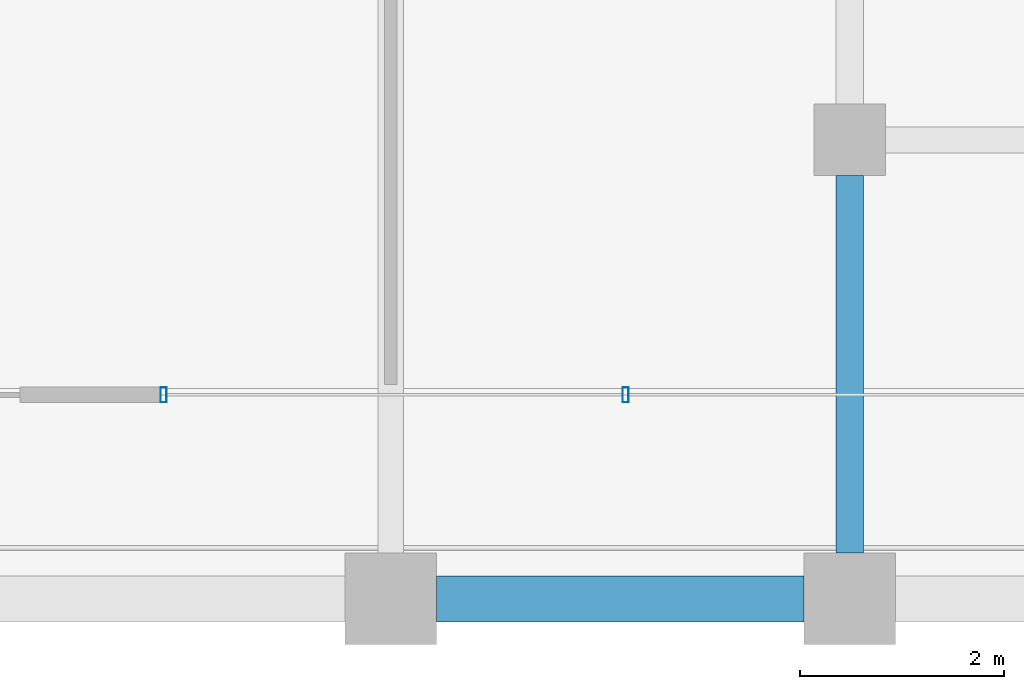
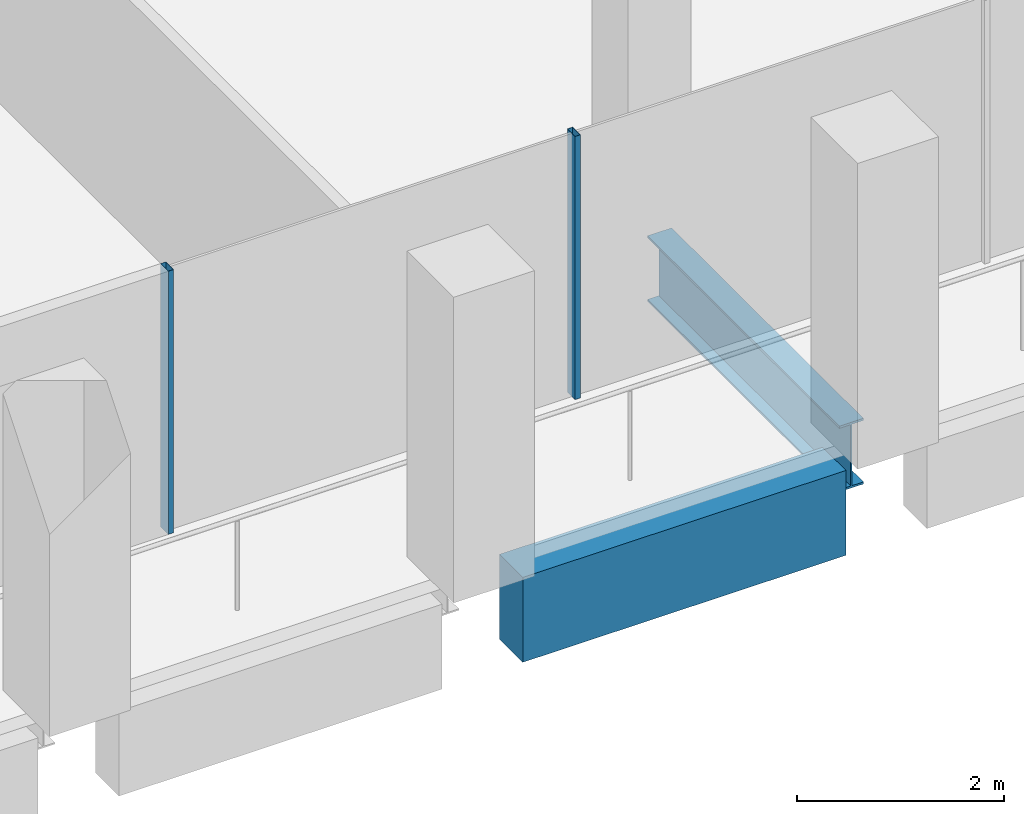
# One storey, part 9 of 40: 2 beams, 2 members, 1 element without a shape of its own.
"""IFC4 building model written with IfcOpenShell, lengths in metres."""

from ifc_helpers import new_model, si_unit, direction, frame, origin, origin_2d, place, context, subcontext, project, spatial, rectangle, hollow_rectangle, i_section, extrude, material, material_profile, profile_set, type_object, element, aggregate, save


model = new_model("IFC4")

# Units and contexts
model_context = context("Model", 3, precision=1e-05, world=origin(), true_north=direction((0.0, 1.0)))
body_context = subcontext(model_context, "Body", "Model", "MODEL_VIEW")
ifc_project = project(units=[si_unit("LENGTHUNIT", "METRE"), si_unit("AREAUNIT", "SQUARE_METRE"), si_unit("VOLUMEUNIT", "CUBIC_METRE"), si_unit("PLANEANGLEUNIT", "RADIAN"), si_unit("MASSUNIT", "GRAM", prefix="KILO")], contexts=[model_context])

# Site, building, storey
site_placement = place(None, origin())
site = spatial("IfcSite", under=ifc_project, at=site_placement, CompositionType="ELEMENT")
building_placement = place(site_placement, origin())
building = spatial("IfcBuilding", under=site, at=building_placement, Name="Altepetl Exchange Towers", CompositionType="ELEMENT")
storey_placement = place(building_placement, frame((0.0, 0.0, 154.60009765625)))
storey = spatial("IfcBuildingStorey", under=building, at=storey_placement, Name="L38", CompositionType="ELEMENT", Elevation=154.60009765625)

# Beam
ifc_material_1 = material(Name="Steel S355", Category="steel")
ifc_material_profile_1 = material_profile(ifc_material_1, i_section(OverallWidth=0.26806640625, OverallDepth=0.77392578125, WebThickness=0.015380859375, FlangeThickness=0.025390625, at=origin_2d()), Name="W30X132")
ifc_profile_set_1 = profile_set([ifc_material_profile_1], Name="Steel S355")
beam_type_1 = type_object("IfcBeamType", Name="Girder W30X132", PredefinedType="BEAM", material=ifc_profile_set_1)
beam_1_placement = place(storey_placement, frame((58.5, 31.14990234375, -0.537109375), z_axis=(0.0, -1.0, 0.0), x_axis=(1.0, 0.0, 0.0)))
element("IfcBeam", 1, at=beam_1_placement, inside=storey, type_object=beam_type_1, Name="gd:A:L38:005", PredefinedType="BEAM", context=body_context, shape_type="SweptSolid", body=[
    extrude(i_section(OverallWidth=0.26806640625, OverallDepth=0.77392578125, WebThickness=0.015380859375, FlangeThickness=0.025390625, at=origin_2d()), origin(), (0.0, 0.0, 1.0), 3.699951171875),
])

# Curtain wall, members
ifc_material_2 = material(Name="Aluminium 6063-T6 glazing", Category="aluminium")
curtain_wall_type = type_object("IfcCurtainWallType", Name="Loggia glazing system", PredefinedType="NOTDEFINED", material=ifc_material_2)
curtain_wall_placement = place(storey_placement, origin())
curtain_wall = element("IfcCurtainWall", 2, at=curtain_wall_placement, inside=storey, type_object=curtain_wall_type, Name="CW1 run", PredefinedType="NOTDEFINED")
ifc_material_3 = material(Name="Aluminium 6063-T6", Category="aluminium")
ifc_material_profile_2 = material_profile(ifc_material_3, hollow_rectangle(XDim=0.06005859375, YDim=0.14990234375, WallThickness=0.0029296875, at=origin_2d()), Name="Mullion 60x150 aluminium")
ifc_profile_set_2 = profile_set([ifc_material_profile_2], Name="Aluminium 6063-T6")
member_type = type_object("IfcMemberType", Name="Mullion 60x150 aluminium", PredefinedType="MULLION", material=ifc_profile_set_2)
member_1_placement = place(storey_placement, frame((51.77294921875, 29.0, 0.0)))
member_1 = element("IfcMember", 3, at=member_1_placement, type_object=member_type, Name="MU1 mullion", PredefinedType="MULLION", context=body_context, shape_type="SweptSolid", body=[
    extrude(hollow_rectangle(XDim=0.06005859375, YDim=0.14990234375, WallThickness=0.0029296875, at=origin_2d()), origin(), (0.0, 0.0, 1.0), 3.099853515625),
])
member_2_placement = place(storey_placement, frame((56.303466796875, 29.0, 0.0)))
member_2 = element("IfcMember", 4, at=member_2_placement, type_object=member_type, Name="MU1 mullion", PredefinedType="MULLION", context=body_context, shape_type="SweptSolid", body=[
    extrude(hollow_rectangle(XDim=0.06005859375, YDim=0.14990234375, WallThickness=0.0029296875, at=origin_2d()), origin(), (0.0, 0.0, 1.0), 3.099853515625),
])
aggregate(curtain_wall, [member_1, member_2])

# Beam
ifc_material_4 = material(Name="Concrete C50/60 precast with cantera blanca facing", Category="concrete")
ifc_material_profile_3 = material_profile(ifc_material_4, rectangle(XDim=0.449951171875, YDim=1.0, at=origin_2d()), Name="450 x 1000")
ifc_profile_set_3 = profile_set([ifc_material_profile_3], Name="Concrete C50/60 precast with cantera blanca facing")
beam_type_2 = type_object("IfcBeamType", Name="Spandrel beam 450x1000 cantera blanca", PredefinedType="SPANDREL", material=ifc_profile_set_3)
beam_2_placement = place(storey_placement, frame((54.449951171875, 27.0, -0.650146484375), z_axis=(1.0, 0.0, 0.0), x_axis=(0.0, 1.0, 0.0)))
element("IfcBeam", 5, at=beam_2_placement, inside=storey, type_object=beam_type_2, Name="sp:A:L38:005", PredefinedType="SPANDREL", context=body_context, shape_type="SweptSolid", body=[
    extrude(rectangle(XDim=0.449951171875, YDim=1.0, at=origin_2d()), origin(), (0.0, 0.0, 1.0), 3.60009765625),
])

save(model, "model.ifc")
